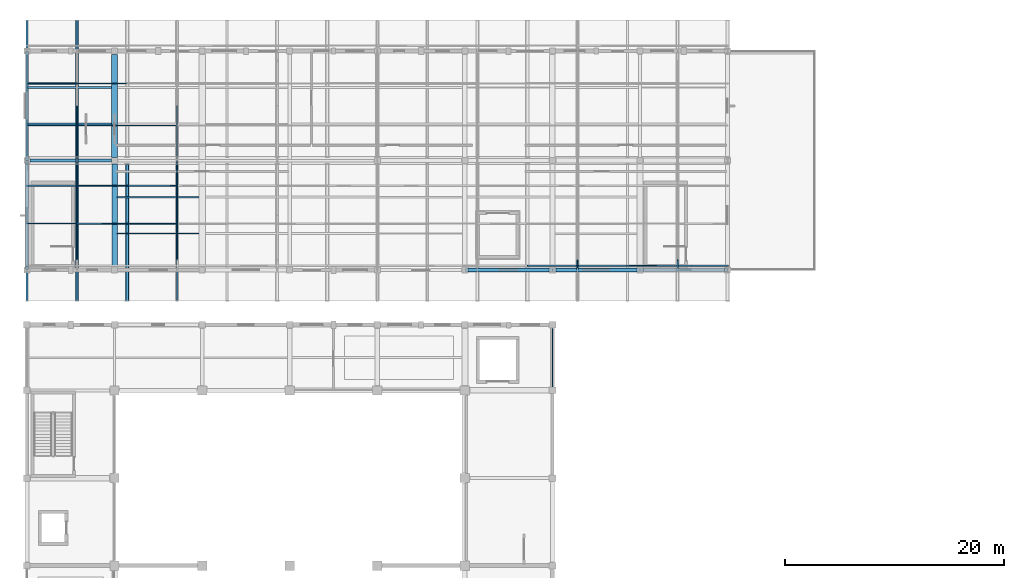
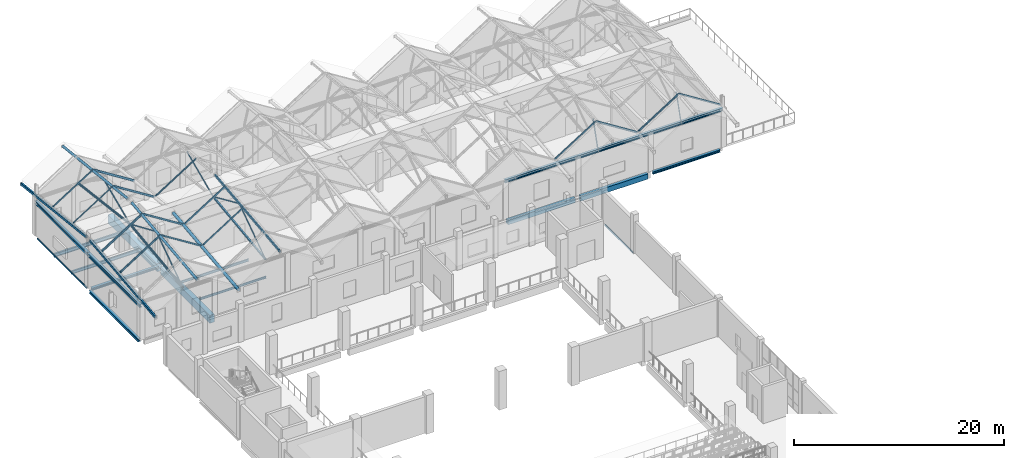
# One storey, part 63 of 183: 26 members, 24 beams.
"""IFC4 building model written with IfcOpenShell, lengths in metres."""

import ifcopenshell
import ifcopenshell.guid

model = None  # the IFC model being written
_history = None  # IfcOwnerHistory: only IFC2X3 demands one
_inside = {}  # id of a spatial element -> (the spatial element, [elements in it])
_under = {}  # id of a project, library or spatial element -> (it, [spatial elements below it])
_declared = {}  # id of a project -> (the project, [libraries it declares])
_typed = {}  # id of a type object -> (the type object, [elements of that type])
_made_of = {}  # id of a material, layer set ... -> (it, [elements and type objects made of it])


def new_model(schema):
    """Start an empty IFC model of exactly this schema.

    Asked for "IFC4X3", IfcOpenShell would pick the latest addendum, in which some entities
    have other attributes; the version numbers below select the first issue.
    IFC2X3 requires an IfcOwnerHistory on every rooted entity: one is made here for all.
    """
    global model, _history
    if schema == "IFC4X3":
        model = ifcopenshell.file(schema_version=(4, 3, 0, 0))
    else:
        model = ifcopenshell.file(schema=schema)
    _inside.clear()
    _under.clear()
    _declared.clear()
    _typed.clear()
    _made_of.clear()
    _history = None
    if model.schema == "IFC2X3":
        org = make("IfcOrganization", Name="unknown")
        user = make(
            "IfcPersonAndOrganization",
            ThePerson=make("IfcPerson", FamilyName="unknown"),
            TheOrganization=org,
        )
        app = make(
            "IfcApplication",
            ApplicationDeveloper=org,
            Version="unknown",
            ApplicationFullName="unknown",
            ApplicationIdentifier="unknown",
        )
        _history = make(
            "IfcOwnerHistory",
            OwningUser=user,
            OwningApplication=app,
            ChangeAction="ADDED",
            CreationDate=0,
        )
    return model


def make(cls, **values):
    """One entity of the class cls with the attributes given. An attribute that is None is left unset."""
    return model.create_entity(
        cls, **{name: value for name, value in values.items() if value is not None}
    )


def rooted(cls, **values):
    """An entity with a GlobalId (a new one), such as an element, a storey or a relation."""
    return make(cls, GlobalId=ifcopenshell.guid.new(), OwnerHistory=_history, **values)


def si_unit(unit_type, name, prefix=None):
    """IfcSIUnit, for example si_unit("LENGTHUNIT", "METRE", prefix="MILLI")."""
    return make("IfcSIUnit", UnitType=unit_type, Prefix=prefix, Name=name)


def assignment(units):
    """IfcUnitAssignment: the units of a project."""
    return None if units is None else make("IfcUnitAssignment", Units=units)


def point(xyz):
    """IfcCartesianPoint."""
    return None if xyz is None else make("IfcCartesianPoint", Coordinates=xyz)


def direction(xyz):
    """IfcDirection."""
    return None if xyz is None else make("IfcDirection", DirectionRatios=xyz)


def frame(location, z_axis=None, x_axis=None):
    """IfcAxis2Placement3D, a coordinate frame: its origin and axes. An axis left out is left unset."""
    return make(
        "IfcAxis2Placement3D",
        Location=point(location),
        Axis=direction(z_axis),
        RefDirection=direction(x_axis),
    )


def frame_2d(location, x_axis=None):
    """IfcAxis2Placement2D, a coordinate frame in the plane: its origin and x axis."""
    return make(
        "IfcAxis2Placement2D", Location=point(location), RefDirection=direction(x_axis)
    )


def origin():
    """The frame at (0, 0, 0) with its axes left unset."""
    return frame((0.0, 0.0, 0.0))


def origin_2d():
    """The frame at (0, 0) in the plane with its x axis left unset."""
    return frame_2d((0.0, 0.0))


def place(relative_to, where):
    """IfcLocalPlacement: puts the frame where relative to a parent placement (None: the world)."""
    return make(
        "IfcLocalPlacement", PlacementRelTo=relative_to, RelativePlacement=where
    )


def context(
    kind, dimensions, precision=None, world=None, true_north=None, identifier=None
):
    """IfcGeometricRepresentationContext, for example the 3D "Model" context."""
    return make(
        "IfcGeometricRepresentationContext",
        ContextIdentifier=identifier,
        ContextType=kind,
        CoordinateSpaceDimension=dimensions,
        Precision=precision,
        WorldCoordinateSystem=world,
        TrueNorth=true_north,
    )


def subcontext(parent, identifier, kind, view, scale=None):
    """IfcGeometricRepresentationSubContext, for example "Body" below "Model"."""
    return make(
        "IfcGeometricRepresentationSubContext",
        ContextIdentifier=identifier,
        ContextType=kind,
        ParentContext=parent,
        TargetScale=scale,
        TargetView=view,
    )


def project(units=None, contexts=None):
    """IfcProject with its units and contexts."""
    return rooted(
        "IfcProject",
        Name="project",
        RepresentationContexts=contexts,
        UnitsInContext=assignment(units),
    )


def spatial(cls, under=None, at=None, **own):
    """A site, building, storey or space (cls), placed at a placement, below another one or the project."""
    s = rooted(cls, ObjectPlacement=at, **own)
    if under is not None:
        _under.setdefault(under.id(), (under, []))[1].append(s)
    return s


def profile(cls, at=None, kind="AREA", **sizes):
    """A parametric profile (cls). Its sizes go by their IFC names, for example OverallWidth=200.0."""
    return make(cls, ProfileType=kind, Position=at, **sizes)


def rectangle(**sizes):
    """IfcRectangleProfileDef."""
    return profile("IfcRectangleProfileDef", **sizes)


def hollow_rectangle(**sizes):
    """IfcRectangleHollowProfileDef."""
    return profile("IfcRectangleHollowProfileDef", **sizes)


def hollow_circle(**sizes):
    """IfcCircleHollowProfileDef."""
    return profile("IfcCircleHollowProfileDef", **sizes)


def i_section(**sizes):
    """IfcIShapeProfileDef."""
    return profile("IfcIShapeProfileDef", **sizes)


def extrude(swept, where, along, depth):
    """IfcExtrudedAreaSolid: the profile swept, set in the frame where, extruded along a direction by depth."""
    return make(
        "IfcExtrudedAreaSolid",
        SweptArea=swept,
        Position=where,
        ExtrudedDirection=direction(along),
        Depth=depth,
    )


def shape(context_of_items, identifier, shape_type, items):
    """IfcShapeRepresentation: the items that make up one representation, for example the "Body"."""
    return make(
        "IfcShapeRepresentation",
        ContextOfItems=context_of_items,
        RepresentationIdentifier=identifier,
        RepresentationType=shape_type,
        Items=items,
    )


def material(Name=None, Category=None):
    """IfcMaterial."""
    return make("IfcMaterial", Name=Name, Category=Category)


def material_profile(
    of_material, cross_section, Name=None, Category=None, Priority=None
):
    """IfcMaterialProfile: a cross section and its material."""
    return make(
        "IfcMaterialProfile",
        Name=Name,
        Material=of_material,
        Profile=cross_section,
        Priority=Priority,
        Category=Category,
    )


def profile_set(profiles, Name=None, composite=None):
    """IfcMaterialProfileSet."""
    return make(
        "IfcMaterialProfileSet",
        Name=Name,
        MaterialProfiles=profiles,
        CompositeProfile=composite,
    )


def made_of(thing, what):
    """Note that an element or type object is made of a material, layer set ...; save() writes the relation."""
    if what is not None:
        _made_of.setdefault(what.id(), (what, []))[1].append(thing)
    return thing


def type_object(cls, material=None, **own):
    """A type object (cls), such as IfcWallType, which elements share."""
    return made_of(rooted(cls, **own), material)


def element(
    cls,
    number,
    at=None,
    inside=None,
    cuts=None,
    type_object=None,
    material=None,
    context=None,
    identifier="Body",
    shape_type=None,
    held_by="IfcProductDefinitionShape",
    body=None,
    shapes=None,
    **own,
):
    """One element of the class cls, such as IfcWall. Its Tag is "e" and its number.

    at: its placement. inside: the storey or other place that contains it. cuts: it is an
    opening in that element (IfcRelVoidsElement). A single representation is given by context,
    identifier, shape_type and body (its items); several are given by shapes. held_by: the class
    of the entity that holds the representations. save() writes the other relations.
    """
    e = rooted(cls, Tag="e%d" % number, ObjectPlacement=at, **own)
    if body is not None:
        shapes = [shape(context, identifier, shape_type, body)]
    if shapes is not None:
        e.Representation = make(held_by, Representations=shapes)
    if inside is not None:
        _inside.setdefault(inside.id(), (inside, []))[1].append(e)
    if cuts is not None:
        rooted(
            "IfcRelVoidsElement", RelatingBuildingElement=cuts, RelatedOpeningElement=e
        )
    if type_object is not None:
        _typed.setdefault(type_object.id(), (type_object, []))[1].append(e)
    return made_of(e, material)


def aggregate(whole, parts):
    """IfcRelAggregates: a whole, such as a stair, and the parts it consists of."""
    return rooted("IfcRelAggregates", RelatingObject=whole, RelatedObjects=parts)


def save(model, path):
    """Write the relations noted so far, then the file.

    IfcRelAggregates (storeys below a building ...), IfcRelContainedInSpatialStructure (elements
    in a storey), IfcRelDefinesByType, IfcRelAssociatesMaterial and IfcRelDeclares: one each for
    every whole, place, type object, material and project.
    """
    for whole, parts in _under.values():
        aggregate(whole, parts)
    for where, things in _inside.values():
        rooted(
            "IfcRelContainedInSpatialStructure",
            RelatedElements=things,
            RelatingStructure=where,
        )
    for kind, things in _typed.values():
        rooted("IfcRelDefinesByType", RelatedObjects=things, RelatingType=kind)
    for what, things in _made_of.values():
        rooted("IfcRelAssociatesMaterial", RelatedObjects=things, RelatingMaterial=what)
    for by, libraries in _declared.values():
        rooted("IfcRelDeclares", RelatingContext=by, RelatedDefinitions=libraries)
    model.write(path)


model = new_model("IFC4")

# Units and contexts
model_context = context("Model", 3, precision=1e-05, world=origin(), true_north=direction((0.0, 1.0)))
body_context = subcontext(model_context, "Body", "Model", "MODEL_VIEW")
ifc_project = project(units=[si_unit("LENGTHUNIT", "METRE"), si_unit("AREAUNIT", "SQUARE_METRE"), si_unit("VOLUMEUNIT", "CUBIC_METRE"), si_unit("PLANEANGLEUNIT", "RADIAN"), si_unit("MASSUNIT", "GRAM", prefix="KILO")], contexts=[model_context])

# Site, building, storey
site_placement = place(None, origin())
site = spatial("IfcSite", under=ifc_project, at=site_placement, CompositionType="ELEMENT")
building_placement = place(site_placement, origin())
building = spatial("IfcBuilding", under=site, at=building_placement, Name="Luwemba Playhouse", CompositionType="ELEMENT")
storey_placement = place(building_placement, frame((0.0, 0.0, 4.800048828125)))
storey = spatial("IfcBuildingStorey", under=building, at=storey_placement, Name="L01", CompositionType="ELEMENT", Elevation=4.800048828125)

# Beams
ifc_material_1 = material(Name="Concrete C40/50", Category="concrete")
ifc_material_profile_1 = material_profile(ifc_material_1, rectangle(XDim=0.5, YDim=0.89990234375, at=origin_2d()))
ifc_profile_set_1 = profile_set([ifc_material_profile_1], Name="Concrete C40/50")
beam_type_1 = type_object("IfcBeamType", Name="BM-RB07", PredefinedType="BEAM", material=ifc_profile_set_1)
beam_1_placement = place(storey_placement, frame((12.0, 95.300048828125, -0.699951171875), z_axis=(0.0, 1.0, 0.0), x_axis=(-1.0, 0.0, 0.0)))
element("IfcBeam", 1, at=beam_1_placement, inside=storey, type_object=beam_type_1, Name="L01 transverse girder 0588", PredefinedType="BEAM", context=body_context, shape_type="SweptSolid", body=[
    extrude(rectangle(XDim=0.5, YDim=0.89990234375, at=origin_2d()), origin(), (0.0, 0.0, 1.0), 9.39990234375),
])
ifc_material_profile_2 = material_profile(ifc_material_1, rectangle(XDim=0.550048828125, YDim=0.949951171875, at=origin_2d()))
ifc_profile_set_2 = profile_set([ifc_material_profile_2], Name="Concrete C40/50")
beam_type_2 = type_object("IfcBeamType", Name="BM-RB08", PredefinedType="BEAM", material=ifc_profile_set_2)
beam_2_placement = place(storey_placement, frame((12.0, 105.300048828125, -0.72509765625), z_axis=(0.0, 1.0, 0.0), x_axis=(-1.0, 0.0, 0.0)))
element("IfcBeam", 2, at=beam_2_placement, inside=storey, type_object=beam_type_2, Name="L01 transverse girder 0589", PredefinedType="BEAM", context=body_context, shape_type="SweptSolid", body=[
    extrude(rectangle(XDim=0.550048828125, YDim=0.949951171875, at=origin_2d()), origin(), (0.0, 0.0, 1.0), 9.39990234375),
])
ifc_material_2 = material(Name="Steel S355", Category="steel")
ifc_material_profile_3 = material_profile(ifc_material_2, hollow_rectangle(XDim=0.14990234375, YDim=0.25, WallThickness=0.010009765625, InnerFilletRadius=0.014892578125, OuterFilletRadius=0.02490234375, at=origin_2d()))
ifc_profile_set_3 = profile_set([ifc_material_profile_3], Name="Steel S355")
beam_type_3 = type_object("IfcBeamType", Name="BM-RTG1", PredefinedType="USERDEFINED", material=ifc_profile_set_3)
beam_3_placement = place(storey_placement, frame((17.71435546875, 92.199951171875, 6.983154296875), z_axis=(0.0, 0.993767931543, 0.111468821814), x_axis=(-1.0, 0.0, 0.0)))
element("IfcBeam", 3, at=beam_3_placement, inside=storey, type_object=beam_type_3, Name="ROOF TRUSS ridge girder 0371", ObjectType="ROOF TRUSS", PredefinedType="USERDEFINED", context=body_context, shape_type="SweptSolid", body=[
    extrude(hollow_rectangle(XDim=0.14990234375, YDim=0.25, WallThickness=0.010009765625, InnerFilletRadius=0.014892578125, OuterFilletRadius=0.02490234375, at=origin_2d()), origin(), (0.0, 0.0, 1.0), 12.528076171875),
])
ifc_material_profile_4 = material_profile(ifc_material_2, hollow_rectangle(XDim=0.199951171875, YDim=0.300048828125, WallThickness=0.012451171875, InnerFilletRadius=0.018798828125, OuterFilletRadius=0.03125, at=origin_2d()))
ifc_profile_set_4 = profile_set([ifc_material_profile_4], Name="Steel S355")
beam_type_4 = type_object("IfcBeamType", Name="BM-RTG2", PredefinedType="USERDEFINED", material=ifc_profile_set_4)
for number, where, z_axis, x_axis, name in (
    (4, (4.0, 92.199951171875, 4.162109375), (0.0, 0.993767931543, 0.111468821814), (-1.0, 0.0, 0.0), "ROOF TRUSS valley girder 0365"),
    (5, (4.0, 105.35009765625, 5.55859375), (0.0, 0.993767931543, -0.111468821814), (-1.0, 0.0, 0.0), "ROOF TRUSS valley girder 0366"),
):
    element("IfcBeam", number, at=place(storey_placement, frame(where, z_axis=z_axis, x_axis=x_axis)), inside=storey, type_object=beam_type_4, Name=name, ObjectType="ROOF TRUSS", PredefinedType="USERDEFINED", context=body_context, shape_type="SweptSolid", body=[
        extrude(hollow_rectangle(XDim=0.199951171875, YDim=0.300048828125, WallThickness=0.012451171875, InnerFilletRadius=0.018798828125, OuterFilletRadius=0.03125, at=origin_2d()), origin(), (0.0, 0.0, 1.0), 12.528076171875),
    ])
ifc_material_profile_5 = material_profile(ifc_material_2, hollow_circle(Radius=0.136474609375, WallThickness=0.012451171875, at=origin_2d()))
ifc_profile_set_5 = profile_set([ifc_material_profile_5], Name="Steel S355")
beam_type_5 = type_object("IfcBeamType", Name="BM-RTG3", PredefinedType="USERDEFINED", material=ifc_profile_set_5)
for number, where, z_axis, x_axis, name in (
    (6, (8.5712890625, 92.199951171875, 6.932861328125), (0.0, 0.993767931543, 0.111468821814), (-1.0, 0.0, 0.0), "ROOF TRUSS ridge girder 0367"),
    (7, (8.5712890625, 105.35009765625, 8.329345703125), (0.0, 0.993767931543, -0.111468821814), (-1.0, 0.0, 0.0), "ROOF TRUSS ridge girder 0368"),
):
    element("IfcBeam", number, at=place(storey_placement, frame(where, z_axis=z_axis, x_axis=x_axis)), inside=storey, type_object=beam_type_5, Name=name, ObjectType="ROOF TRUSS", PredefinedType="USERDEFINED", context=body_context, shape_type="SweptSolid", body=[
        extrude(hollow_circle(Radius=0.136474609375, WallThickness=0.012451171875, at=origin_2d()), origin(), (0.0, 0.0, 1.0), 12.528076171875),
    ])
ifc_material_profile_6 = material_profile(ifc_material_2, hollow_circle(Radius=0.161865234375, WallThickness=0.01611328125, at=origin_2d()))
ifc_profile_set_6 = profile_set([ifc_material_profile_6], Name="Steel S355")
beam_type_6 = type_object("IfcBeamType", Name="BM-RTG4", PredefinedType="USERDEFINED", material=ifc_profile_set_6)
beam_4_placement = place(storey_placement, frame((13.142822265625, 92.199951171875, 4.150390625), z_axis=(0.0, 0.993767931543, 0.111468821814), x_axis=(-1.0, 0.0, 0.0)))
element("IfcBeam", 8, at=beam_4_placement, inside=storey, type_object=beam_type_6, Name="ROOF TRUSS valley girder 0369", ObjectType="ROOF TRUSS", PredefinedType="USERDEFINED", context=body_context, shape_type="SweptSolid", body=[
    extrude(hollow_circle(Radius=0.161865234375, WallThickness=0.01611328125, at=origin_2d()), origin(), (0.0, 0.0, 1.0), 12.528076171875),
])
ifc_material_profile_7 = material_profile(ifc_material_2, i_section(OverallWidth=0.300048828125, OverallDepth=0.2900390625, WebThickness=0.008544921875, FlangeThickness=0.013916015625, FilletRadius=0.027099609375, at=origin_2d()))
ifc_profile_set_7 = profile_set([ifc_material_profile_7], Name="Steel S355")
beam_type_7 = type_object("IfcBeamType", Name="BM-SB03", PredefinedType="BEAM", material=ifc_profile_set_7)
beam_5_placement = place(storey_placement, frame((4.300048828125, 105.0, -0.39501953125), z_axis=(1.0, 0.0, 0.0), x_axis=(0.0, 1.0, 0.0)))
element("IfcBeam", 9, at=beam_5_placement, inside=storey, type_object=beam_type_7, Name="L01 grid girder 0572", PredefinedType="BEAM", context=body_context, shape_type="SweptSolid", body=[
    extrude(i_section(OverallWidth=0.300048828125, OverallDepth=0.2900390625, WebThickness=0.008544921875, FlangeThickness=0.013916015625, FilletRadius=0.027099609375, at=origin_2d()), origin(), (0.0, 0.0, 1.0), 7.39990234375),
])
ifc_material_profile_8 = material_profile(ifc_material_2, i_section(OverallWidth=0.300048828125, OverallDepth=0.360107421875, WebThickness=0.012451171875, FlangeThickness=0.0224609375, FilletRadius=0.027099609375, at=origin_2d()))
ifc_profile_set_8 = profile_set([ifc_material_profile_8], Name="Steel S355")
beam_type_8 = type_object("IfcBeamType", Name="BM-SB09", PredefinedType="BEAM", material=ifc_profile_set_8)
for number, where, z_axis, x_axis, name in (
    (10, (44.0, 95.0, 4.320068359375), (1.0, 0.0, 0.0), (0.0, 1.0, 0.0), "RF-V6W eave ring beam 0347"),
    (11, (52.0, 95.0, 4.320068359375), (1.0, 0.0, 0.0), (0.0, 1.0, 0.0), "RF-V6W eave ring beam 0348"),
    (12, (60.0, 95.0, 4.320068359375), (1.0, 0.0, 0.0), (0.0, 1.0, 0.0), "RF-V6W eave ring beam 0349"),
):
    element("IfcBeam", number, at=place(storey_placement, frame(where, z_axis=z_axis, x_axis=x_axis)), inside=storey, type_object=beam_type_8, Name=name, PredefinedType="BEAM", context=body_context, shape_type="SweptSolid", body=[
        extrude(i_section(OverallWidth=0.300048828125, OverallDepth=0.360107421875, WebThickness=0.012451171875, FlangeThickness=0.0224609375, FilletRadius=0.027099609375, at=origin_2d()), origin(), (0.0, 0.0, 1.0), 8.0),
    ])
for number, where, z_axis, x_axis, name in (
    (13, (4.0, 95.0, 3.780029296875), (0.0, 1.0, 0.0), (-1.0, 0.0, 0.0), "RF-V6W gable ring beam 0358"),
    (14, (4.0, 105.0, 3.780029296875), (0.0, 1.0, 0.0), (-1.0, 0.0, 0.0), "RF-V6W gable ring beam 0359"),
):
    element("IfcBeam", number, at=place(storey_placement, frame(where, z_axis=z_axis, x_axis=x_axis)), inside=storey, type_object=beam_type_8, Name=name, PredefinedType="BEAM", context=body_context, shape_type="SweptSolid", body=[
        extrude(i_section(OverallWidth=0.300048828125, OverallDepth=0.360107421875, WebThickness=0.012451171875, FlangeThickness=0.0224609375, FilletRadius=0.027099609375, at=origin_2d()), origin(), (0.0, 0.0, 1.0), 10.0),
    ])
ifc_material_profile_9 = material_profile(ifc_material_2, i_section(OverallWidth=0.1201171875, OverallDepth=0.239990234375, WebThickness=0.006103515625, FlangeThickness=0.009765625, FilletRadius=0.014892578125, at=origin_2d()))
ifc_profile_set_9 = profile_set([ifc_material_profile_9], Name="Steel S355")
beam_type_9 = type_object("IfcBeamType", Name="BM-SJ03", PredefinedType="JOIST", material=ifc_profile_set_9)
beam_6_placement = place(storey_placement, frame((12.24609375, 98.333251953125, -0.3701171875), z_axis=(1.0, 0.0, 0.0), x_axis=(0.0, 1.0, 0.0)))
element("IfcBeam", 15, at=beam_6_placement, inside=storey, type_object=beam_type_9, Name="L01 composite floor joist 0340", PredefinedType="JOIST", context=body_context, shape_type="SweptSolid", body=[
    extrude(i_section(OverallWidth=0.1201171875, OverallDepth=0.239990234375, WebThickness=0.006103515625, FlangeThickness=0.009765625, FilletRadius=0.014892578125, at=origin_2d()), origin(), (0.0, 0.0, 1.0), 7.4580078125),
])
ifc_material_profile_10 = material_profile(ifc_material_2, i_section(OverallWidth=0.135009765625, OverallDepth=0.27001953125, WebThickness=0.006591796875, FlangeThickness=0.01025390625, FilletRadius=0.014892578125, at=origin_2d()))
ifc_profile_set_10 = profile_set([ifc_material_profile_10], Name="Steel S355")
beam_type_10 = type_object("IfcBeamType", Name="BM-SJ04", PredefinedType="JOIST", material=ifc_profile_set_10)
beam_7_placement = place(storey_placement, frame((12.24609375, 101.666748046875, -0.385009765625), z_axis=(1.0, 0.0, 0.0), x_axis=(0.0, 1.0, 0.0)))
element("IfcBeam", 16, at=beam_7_placement, inside=storey, type_object=beam_type_10, Name="L01 composite floor joist 0341", PredefinedType="JOIST", context=body_context, shape_type="SweptSolid", body=[
    extrude(i_section(OverallWidth=0.135009765625, OverallDepth=0.27001953125, WebThickness=0.006591796875, FlangeThickness=0.01025390625, FilletRadius=0.014892578125, at=origin_2d()), origin(), (0.0, 0.0, 1.0), 7.4580078125),
])
ifc_material_profile_11 = material_profile(ifc_material_2, i_section(OverallWidth=0.169921875, OverallDepth=0.360107421875, WebThickness=0.008056640625, FlangeThickness=0.0126953125, FilletRadius=0.01806640625, at=origin_2d()))
ifc_profile_set_11 = profile_set([ifc_material_profile_11], Name="Steel S355")
beam_type_11 = type_object("IfcBeamType", Name="BM-SJ07", PredefinedType="JOIST", material=ifc_profile_set_11)
beam_8_placement = place(storey_placement, frame((4.0458984375, 108.333251953125, -0.429931640625), z_axis=(1.0, 0.0, 0.0), x_axis=(0.0, 1.0, 0.0)))
element("IfcBeam", 17, at=beam_8_placement, inside=storey, type_object=beam_type_11, Name="L01 composite floor joist 0338", PredefinedType="JOIST", context=body_context, shape_type="SweptSolid", body=[
    extrude(i_section(OverallWidth=0.169921875, OverallDepth=0.360107421875, WebThickness=0.008056640625, FlangeThickness=0.0126953125, FilletRadius=0.01806640625, at=origin_2d()), origin(), (0.0, 0.0, 1.0), 7.68310546875),
])
ifc_material_profile_12 = material_profile(ifc_material_2, i_section(OverallWidth=0.179931640625, OverallDepth=0.39990234375, WebThickness=0.008544921875, FlangeThickness=0.013427734375, FilletRadius=0.02099609375, at=origin_2d()))
ifc_profile_set_12 = profile_set([ifc_material_profile_12], Name="Steel S355")
beam_type_12 = type_object("IfcBeamType", Name="BM-SJ08", PredefinedType="JOIST", material=ifc_profile_set_12)
beam_9_placement = place(storey_placement, frame((4.0458984375, 111.666748046875, -0.449951171875), z_axis=(1.0, 0.0, 0.0), x_axis=(0.0, 1.0, 0.0)))
element("IfcBeam", 18, at=beam_9_placement, inside=storey, type_object=beam_type_12, Name="L01 composite floor joist 0339", PredefinedType="JOIST", context=body_context, shape_type="SweptSolid", body=[
    extrude(i_section(OverallWidth=0.179931640625, OverallDepth=0.39990234375, WebThickness=0.008544921875, FlangeThickness=0.013427734375, FilletRadius=0.02099609375, at=origin_2d()), origin(), (0.0, 0.0, 1.0), 7.68310546875),
])
ifc_material_profile_13 = material_profile(ifc_material_1, rectangle(XDim=0.35009765625, YDim=0.550048828125, at=origin_2d()))
ifc_profile_set_13 = profile_set([ifc_material_profile_13], Name="Concrete C40/50")
beam_type_13 = type_object("IfcBeamType", Name="BM-SP2", PredefinedType="SPANDREL", material=ifc_profile_set_13)
beam_10_placement = place(storey_placement, frame((44.300048828125, 95.0, -0.525146484375), z_axis=(1.0, 0.0, 0.0), x_axis=(0.0, 1.0, 0.0)))
element("IfcBeam", 19, at=beam_10_placement, inside=storey, type_object=beam_type_13, Name="L01 grid girder 0569", PredefinedType="SPANDREL", context=body_context, shape_type="SweptSolid", body=[
    extrude(rectangle(XDim=0.35009765625, YDim=0.550048828125, at=origin_2d()), origin(), (0.0, 0.0, 1.0), 7.39990234375),
])
ifc_material_profile_14 = material_profile(ifc_material_1, rectangle(XDim=0.35009765625, YDim=0.60009765625, at=origin_2d()))
ifc_profile_set_14 = profile_set([ifc_material_profile_14], Name="Concrete C40/50")
beam_type_14 = type_object("IfcBeamType", Name="BM-SP3", PredefinedType="SPANDREL", material=ifc_profile_set_14)
beam_11_placement = place(storey_placement, frame((52.300048828125, 95.0, -0.550048828125), z_axis=(1.0, 0.0, 0.0), x_axis=(0.0, 1.0, 0.0)))
element("IfcBeam", 20, at=beam_11_placement, inside=storey, type_object=beam_type_14, Name="L01 grid girder 0570", PredefinedType="SPANDREL", context=body_context, shape_type="SweptSolid", body=[
    extrude(rectangle(XDim=0.35009765625, YDim=0.60009765625, at=origin_2d()), origin(), (0.0, 0.0, 1.0), 7.39990234375),
])
ifc_material_profile_15 = material_profile(ifc_material_2, i_section(OverallWidth=0.300048828125, OverallDepth=0.300048828125, WebThickness=0.010986328125, FlangeThickness=0.01904296875, FilletRadius=0.027099609375, at=origin_2d()))
ifc_profile_set_15 = profile_set([ifc_material_profile_15], Name="Steel S355")
beam_type_15 = type_object("IfcBeamType", Name="BM-SSP1", PredefinedType="SPANDREL", material=ifc_profile_set_15)
beam_12_placement = place(storey_placement, frame((60.300048828125, 95.0, -0.400146484375), z_axis=(1.0, 0.0, 0.0), x_axis=(0.0, 1.0, 0.0)))
element("IfcBeam", 21, at=beam_12_placement, inside=storey, type_object=beam_type_15, Name="L01 grid girder 0571", PredefinedType="SPANDREL", context=body_context, shape_type="SweptSolid", body=[
    extrude(i_section(OverallWidth=0.300048828125, OverallDepth=0.300048828125, WebThickness=0.010986328125, FlangeThickness=0.01904296875, FilletRadius=0.027099609375, at=origin_2d()), origin(), (0.0, 0.0, 1.0), 7.39990234375),
])
beam_13_placement = place(storey_placement, frame((4.0, 95.300048828125, -0.400146484375), z_axis=(0.0, 1.0, 0.0), x_axis=(-1.0, 0.0, 0.0)))
element("IfcBeam", 22, at=beam_13_placement, inside=storey, type_object=beam_type_15, Name="L01 transverse girder 0586", PredefinedType="SPANDREL", context=body_context, shape_type="SweptSolid", body=[
    extrude(i_section(OverallWidth=0.300048828125, OverallDepth=0.300048828125, WebThickness=0.010986328125, FlangeThickness=0.01904296875, FilletRadius=0.027099609375, at=origin_2d()), origin(), (0.0, 0.0, 1.0), 9.39990234375),
])
ifc_material_profile_16 = material_profile(ifc_material_2, hollow_rectangle(XDim=0.10009765625, YDim=0.199951171875, WallThickness=0.008056640625, InnerFilletRadius=0.011962890625, OuterFilletRadius=0.02001953125, at=origin_2d()))
ifc_profile_set_16 = profile_set([ifc_material_profile_16], Name="Steel S355")
beam_type_16 = type_object("IfcBeamType", Name="BM-SSP2", PredefinedType="SPANDREL", material=ifc_profile_set_16)
beam_14_placement = place(storey_placement, frame((52.0, 84.324951171875, -0.35009765625), z_axis=(0.0, 1.0, 0.0), x_axis=(-1.0, 0.0, 0.0)))
element("IfcBeam", 23, at=beam_14_placement, inside=storey, type_object=beam_type_16, Name="L01 transverse girder 0403", PredefinedType="SPANDREL", context=body_context, shape_type="SweptSolid", body=[
    extrude(hollow_rectangle(XDim=0.10009765625, YDim=0.199951171875, WallThickness=0.008056640625, InnerFilletRadius=0.011962890625, OuterFilletRadius=0.02001953125, at=origin_2d()), origin(), (0.0, 0.0, 1.0), 5.35009765625),
])
beam_15_placement = place(storey_placement, frame((4.0, 105.300048828125, -0.35009765625), z_axis=(0.0, 1.0, 0.0), x_axis=(-1.0, 0.0, 0.0)))
element("IfcBeam", 24, at=beam_15_placement, inside=storey, type_object=beam_type_16, Name="L01 transverse girder 0587", PredefinedType="SPANDREL", context=body_context, shape_type="SweptSolid", body=[
    extrude(hollow_rectangle(XDim=0.10009765625, YDim=0.199951171875, WallThickness=0.008056640625, InnerFilletRadius=0.011962890625, OuterFilletRadius=0.02001953125, at=origin_2d()), origin(), (0.0, 0.0, 1.0), 9.39990234375),
])

# Members
ifc_material_profile_17 = material_profile(ifc_material_2, hollow_circle(Radius=0.06982421875, WallThickness=0.008056640625, at=origin_2d()))
ifc_profile_set_17 = profile_set([ifc_material_profile_17], Name="Steel S355")
member_type_1 = type_object("IfcMemberType", Name="MEM-MB01", PredefinedType="BRACE", material=ifc_profile_set_17)
member_1_placement = place(storey_placement, frame((8.5712890625, 95.0, 4.39990234375), z_axis=(0.0, 0.826314401339, 0.563209117593), x_axis=(-1.0, 0.0, 0.0)))
element("IfcMember", 25, at=member_1_placement, inside=storey, type_object=member_type_1, Name="ROOF TRUSS web diagonal 0309", PredefinedType="BRACE", context=body_context, shape_type="SweptSolid", body=[
    extrude(hollow_circle(Radius=0.06982421875, WallThickness=0.008056640625, at=origin_2d()), origin(), (0.0, 0.0, 1.0), 6.051025390625),
])
for number, where, z_axis, x_axis, name in (
    (26, (8.5712890625, 105.0, 5.6416015625), (0.0, -0.917582865909, 0.397544568809), (1.0, 0.0, 0.0), "ROOF TRUSS web diagonal 0310"),
    (27, (8.5712890625, 105.0, 5.6416015625), (0.0, 0.917582865909, 0.397544568809), (-1.0, 0.0, 0.0), "ROOF TRUSS web diagonal 0311"),
):
    element("IfcMember", number, at=place(storey_placement, frame(where, z_axis=z_axis, x_axis=x_axis)), inside=storey, type_object=member_type_1, Name=name, PredefinedType="BRACE", context=body_context, shape_type="SweptSolid", body=[
        extrude(hollow_circle(Radius=0.06982421875, WallThickness=0.008056640625, at=origin_2d()), origin(), (0.0, 0.0, 1.0), 5.44921875),
    ])
member_2_placement = place(storey_placement, frame((54.28564453125, 95.0, 4.39990234375), z_axis=(0.0, 0.287469518343, 0.95778978697), x_axis=(-1.0, 0.0, 0.0)))
element("IfcMember", 28, at=member_2_placement, inside=storey, type_object=member_type_1, Name="ROOF TRUSS eave knee strut 0096", PredefinedType="BRACE", context=body_context, shape_type="SweptSolid", body=[
    extrude(hollow_circle(Radius=0.06982421875, WallThickness=0.008056640625, at=origin_2d()), origin(), (0.0, 0.0, 1.0), 3.13037109375),
])
ifc_material_profile_18 = material_profile(ifc_material_2, hollow_rectangle(XDim=0.10009765625, YDim=0.10009765625, WallThickness=0.00634765625, InnerFilletRadius=0.009521484375, OuterFilletRadius=0.015869140625, at=origin_2d()))
ifc_profile_set_18 = profile_set([ifc_material_profile_18], Name="Steel S355")
member_type_2 = type_object("IfcMemberType", Name="MEM-MB05", PredefinedType="BRACE", material=ifc_profile_set_18)
member_3_placement = place(storey_placement, frame((17.71435546875, 95.0, 4.39990234375), z_axis=(0.0, 0.822463896527, 0.568817315938), x_axis=(-1.0, 0.0, 0.0)))
element("IfcMember", 29, at=member_3_placement, inside=storey, type_object=member_type_2, Name="ROOF TRUSS web diagonal 0315", PredefinedType="BRACE", context=body_context, shape_type="SweptSolid", body=[
    extrude(hollow_rectangle(XDim=0.10009765625, YDim=0.10009765625, WallThickness=0.00634765625, InnerFilletRadius=0.009521484375, OuterFilletRadius=0.015869140625, at=origin_2d()), origin(), (0.0, 0.0, 1.0), 6.079345703125),
])
for number, where, z_axis, x_axis, name in (
    (30, (17.71435546875, 105.0, 5.6416015625), (0.0, -0.914212395847, 0.405235357885), (1.0, 0.0, 0.0), "ROOF TRUSS web diagonal 0316"),
    (31, (17.71435546875, 105.0, 5.6416015625), (0.0, 0.914212395847, 0.405235357885), (-1.0, 0.0, 0.0), "ROOF TRUSS web diagonal 0317"),
):
    element("IfcMember", number, at=place(storey_placement, frame(where, z_axis=z_axis, x_axis=x_axis)), inside=storey, type_object=member_type_2, Name=name, PredefinedType="BRACE", context=body_context, shape_type="SweptSolid", body=[
        extrude(hollow_rectangle(XDim=0.10009765625, YDim=0.10009765625, WallThickness=0.00634765625, InnerFilletRadius=0.009521484375, OuterFilletRadius=0.015869140625, at=origin_2d()), origin(), (0.0, 0.0, 1.0), 5.46923828125),
    ])
member_4_placement = place(storey_placement, frame((63.4287109375, 95.0, 4.39990234375), z_axis=(0.0, 0.291958934331, 0.95643085514), x_axis=(-1.0, 0.0, 0.0)))
element("IfcMember", 32, at=member_4_placement, inside=storey, type_object=member_type_2, Name="ROOF TRUSS eave knee strut 0098", PredefinedType="BRACE", context=body_context, shape_type="SweptSolid", body=[
    extrude(hollow_rectangle(XDim=0.10009765625, YDim=0.10009765625, WallThickness=0.00634765625, InnerFilletRadius=0.009521484375, OuterFilletRadius=0.015869140625, at=origin_2d()), origin(), (0.0, 0.0, 1.0), 3.082275390625),
])
ifc_material_profile_19 = material_profile(ifc_material_2, hollow_circle(Radius=0.122314453125, WallThickness=0.012451171875, at=origin_2d()))
ifc_profile_set_19 = profile_set([ifc_material_profile_19], Name="Steel S355")
member_type_3 = type_object("IfcMemberType", Name="MEM-MC01", PredefinedType="CHORD", material=ifc_profile_set_19)
for number, where, z_axis, x_axis, name in (
    (33, (8.5712890625, 95.0, 4.39990234375), (0.0, 0.992378930096, 0.12322361422), (-1.0, 0.0, 0.0), "ROOF TRUSS south bottom chord 0307"),
    (34, (8.5712890625, 105.0, 5.6416015625), (0.0, 0.992378930096, -0.12322361422), (-1.0, 0.0, 0.0), "ROOF TRUSS north bottom chord 0308"),
):
    element("IfcMember", number, at=place(storey_placement, frame(where, z_axis=z_axis, x_axis=x_axis)), inside=storey, type_object=member_type_3, Name=name, PredefinedType="CHORD", context=body_context, shape_type="SweptSolid", body=[
        extrude(hollow_circle(Radius=0.122314453125, WallThickness=0.012451171875, at=origin_2d()), origin(), (0.0, 0.0, 1.0), 10.076904296875),
    ])
ifc_material_profile_20 = material_profile(ifc_material_2, hollow_rectangle(XDim=0.179931640625, YDim=0.179931640625, WallThickness=0.010009765625, InnerFilletRadius=0.014892578125, OuterFilletRadius=0.02490234375, at=origin_2d()))
ifc_profile_set_20 = profile_set([ifc_material_profile_20], Name="Steel S355")
member_type_4 = type_object("IfcMemberType", Name="MEM-MC03", PredefinedType="CHORD", material=ifc_profile_set_20)
member_5_placement = place(storey_placement, frame((17.71435546875, 95.0, 4.39990234375), z_axis=(0.0, 0.992378930096, 0.12322361422), x_axis=(-1.0, 0.0, 0.0)))
element("IfcMember", 35, at=member_5_placement, inside=storey, type_object=member_type_4, Name="ROOF TRUSS south bottom chord 0313", PredefinedType="CHORD", context=body_context, shape_type="SweptSolid", body=[
    extrude(hollow_rectangle(XDim=0.179931640625, YDim=0.179931640625, WallThickness=0.010009765625, InnerFilletRadius=0.014892578125, OuterFilletRadius=0.02490234375, at=origin_2d()), origin(), (0.0, 0.0, 1.0), 10.076904296875),
])
ifc_material_profile_21 = material_profile(ifc_material_2, hollow_rectangle(XDim=0.080078125, YDim=0.1201171875, WallThickness=0.00634765625, InnerFilletRadius=0.009521484375, OuterFilletRadius=0.015869140625, at=origin_2d()))
ifc_profile_set_21 = profile_set([ifc_material_profile_21], Name="Steel S355")
member_type_5 = type_object("IfcMemberType", Name="MEM-MP01", PredefinedType="PURLIN", material=ifc_profile_set_21)
member_6_placement = place(storey_placement, frame((4.0, 108.199951171875, 5.28271484375), z_axis=(0.846236613742, 0.0, 0.532807276191), x_axis=(0.0, 1.0, 0.0)))
element("IfcMember", 36, at=member_6_placement, inside=storey, type_object=member_type_5, Name="Pleated roof purlin 0616", PredefinedType="PURLIN", context=body_context, shape_type="SweptSolid", body=[
    extrude(hollow_rectangle(XDim=0.080078125, YDim=0.1201171875, WallThickness=0.00634765625, InnerFilletRadius=0.009521484375, OuterFilletRadius=0.015869140625, at=origin_2d()), origin(), (0.0, 0.0, 1.0), 5.40185546875),
])
ifc_material_profile_22 = material_profile(ifc_material_2, hollow_rectangle(XDim=0.10009765625, YDim=0.14990234375, WallThickness=0.008056640625, InnerFilletRadius=0.011962890625, OuterFilletRadius=0.02001953125, at=origin_2d()))
ifc_profile_set_22 = profile_set([ifc_material_profile_22], Name="Steel S355")
member_type_6 = type_object("IfcMemberType", Name="MEM-MP02", PredefinedType="PURLIN", material=ifc_profile_set_22)
for number, where, z_axis, x_axis, name in (
    (37, (4.0, 112.0400390625, 4.85205078125), (0.846236613742, 0.0, 0.532807276191), (0.0, 1.0, 0.0), "Pleated roof purlin 0617"),
    (38, (49.71435546875, 95.39990234375, 4.56494140625), (0.846236613742, 0.0, 0.532807276191), (0.0, 1.0, 0.0), "Pleated roof purlin 0673"),
):
    element("IfcMember", number, at=place(storey_placement, frame(where, z_axis=z_axis, x_axis=x_axis)), inside=storey, type_object=member_type_6, Name=name, PredefinedType="PURLIN", context=body_context, shape_type="SweptSolid", body=[
        extrude(hollow_rectangle(XDim=0.10009765625, YDim=0.14990234375, WallThickness=0.008056640625, InnerFilletRadius=0.011962890625, OuterFilletRadius=0.02001953125, at=origin_2d()), origin(), (0.0, 0.0, 1.0), 5.40185546875),
    ])
ifc_material_profile_23 = material_profile(ifc_material_2, hollow_rectangle(XDim=0.080078125, YDim=0.159912109375, WallThickness=0.00634765625, InnerFilletRadius=0.009521484375, OuterFilletRadius=0.015869140625, at=origin_2d()))
ifc_profile_set_23 = profile_set([ifc_material_profile_23], Name="Steel S355")
member_type_7 = type_object("IfcMemberType", Name="MEM-MP03", PredefinedType="PURLIN", material=ifc_profile_set_23)
member_7_placement = place(storey_placement, frame((13.142822265625, 99.239990234375, 4.99560546875), z_axis=(0.846249443207, 0.0, 0.532786899117), x_axis=(0.0, 1.0, 0.0)))
element("IfcMember", 39, at=member_7_placement, inside=storey, type_object=member_type_7, Name="Pleated roof purlin 0626", PredefinedType="PURLIN", context=body_context, shape_type="SweptSolid", body=[
    extrude(hollow_rectangle(XDim=0.080078125, YDim=0.159912109375, WallThickness=0.00634765625, InnerFilletRadius=0.009521484375, OuterFilletRadius=0.015869140625, at=origin_2d()), origin(), (0.0, 0.0, 1.0), 5.402099609375),
])
ifc_material_profile_24 = material_profile(ifc_material_2, hollow_rectangle(XDim=0.10009765625, YDim=0.179931640625, WallThickness=0.008056640625, InnerFilletRadius=0.011962890625, OuterFilletRadius=0.02001953125, at=origin_2d()))
ifc_profile_set_24 = profile_set([ifc_material_profile_24], Name="Steel S355")
member_type_8 = type_object("IfcMemberType", Name="MEM-MP04", PredefinedType="PURLIN", material=ifc_profile_set_24)
member_8_placement = place(storey_placement, frame((13.142822265625, 102.696044921875, 5.373046875), z_axis=(0.84622906663, 0.0, 0.532819262781), x_axis=(0.0, 1.0, 0.0)))
element("IfcMember", 40, at=member_8_placement, inside=storey, type_object=member_type_8, Name="Pleated roof purlin 0627", PredefinedType="PURLIN", context=body_context, shape_type="SweptSolid", body=[
    extrude(hollow_rectangle(XDim=0.10009765625, YDim=0.179931640625, WallThickness=0.008056640625, InnerFilletRadius=0.011962890625, OuterFilletRadius=0.02001953125, at=origin_2d()), origin(), (0.0, 0.0, 1.0), 5.40234375),
])
member_9_placement = place(storey_placement, frame((63.4287109375, 95.39990234375, 7.432861328125), z_axis=(0.846236613742, 0.0, -0.532807276191), x_axis=(0.0, 1.0, 0.0)))
element("IfcMember", 41, at=member_9_placement, inside=storey, type_object=member_type_8, Name="Pleated roof purlin 0691", PredefinedType="PURLIN", context=body_context, shape_type="SweptSolid", body=[
    extrude(hollow_rectangle(XDim=0.10009765625, YDim=0.179931640625, WallThickness=0.008056640625, InnerFilletRadius=0.011962890625, OuterFilletRadius=0.02001953125, at=origin_2d()), origin(), (0.0, 0.0, 1.0), 5.40185546875),
])
ifc_material_profile_25 = material_profile(ifc_material_2, i_section(OverallWidth=0.08203125, OverallDepth=0.159912109375, WebThickness=0.0048828125, FlangeThickness=0.00732421875, FilletRadius=0.009033203125, at=origin_2d()))
ifc_profile_set_25 = profile_set([ifc_material_profile_25], Name="Steel S355")
member_type_9 = type_object("IfcMemberType", Name="MEM-MP05", PredefinedType="PURLIN", material=ifc_profile_set_25)
member_10_placement = place(storey_placement, frame((8.5712890625, 99.239990234375, 7.873779296875), z_axis=(0.846249443207, 0.0, -0.532786899117), x_axis=(0.0, 1.0, 0.0)))
element("IfcMember", 42, at=member_10_placement, inside=storey, type_object=member_type_9, Name="Pleated roof purlin 0620", PredefinedType="PURLIN", context=body_context, shape_type="SweptSolid", body=[
    extrude(i_section(OverallWidth=0.08203125, OverallDepth=0.159912109375, WebThickness=0.0048828125, FlangeThickness=0.00732421875, FilletRadius=0.009033203125, at=origin_2d()), origin(), (0.0, 0.0, 1.0), 5.402099609375),
])
member_11_placement = place(storey_placement, frame((13.142822265625, 108.199951171875, 5.28271484375), z_axis=(0.84622906663, 0.0, 0.532819262781), x_axis=(0.0, 1.0, 0.0)))
element("IfcMember", 43, at=member_11_placement, inside=storey, type_object=member_type_9, Name="Pleated roof purlin 0628", PredefinedType="PURLIN", context=body_context, shape_type="SweptSolid", body=[
    extrude(i_section(OverallWidth=0.08203125, OverallDepth=0.159912109375, WebThickness=0.0048828125, FlangeThickness=0.00732421875, FilletRadius=0.009033203125, at=origin_2d()), origin(), (0.0, 0.0, 1.0), 5.40234375),
])
ifc_material_profile_26 = material_profile(ifc_material_2, i_section(OverallWidth=0.091064453125, OverallDepth=0.179931640625, WebThickness=0.00537109375, FlangeThickness=0.008056640625, FilletRadius=0.009033203125, at=origin_2d()))
ifc_profile_set_26 = profile_set([ifc_material_profile_26], Name="Steel S355")
member_type_10 = type_object("IfcMemberType", Name="MEM-MP06", PredefinedType="PURLIN", material=ifc_profile_set_26)
for number, where, z_axis, x_axis, name in (
    (44, (8.5712890625, 102.696044921875, 8.254150390625), (0.84622906663, 0.0, -0.532819262781), (0.0, 1.0, 0.0), "Pleated roof purlin 0621"),
    (45, (58.857177734375, 95.39990234375, 4.557373046875), (0.84622906663, 0.0, 0.532819262781), (0.0, 1.0, 0.0), "Pleated roof purlin 0685"),
):
    element("IfcMember", number, at=place(storey_placement, frame(where, z_axis=z_axis, x_axis=x_axis)), inside=storey, type_object=member_type_10, Name=name, PredefinedType="PURLIN", context=body_context, shape_type="SweptSolid", body=[
        extrude(i_section(OverallWidth=0.091064453125, OverallDepth=0.179931640625, WebThickness=0.00537109375, FlangeThickness=0.008056640625, FilletRadius=0.009033203125, at=origin_2d()), origin(), (0.0, 0.0, 1.0), 5.40234375),
    ])
ifc_material_profile_27 = material_profile(ifc_material_2, i_section(OverallWidth=0.10009765625, OverallDepth=0.199951171875, WebThickness=0.005615234375, FlangeThickness=0.008544921875, FilletRadius=0.011962890625, at=origin_2d()))
ifc_profile_set_27 = profile_set([ifc_material_profile_27], Name="Steel S355")
member_type_11 = type_object("IfcMemberType", Name="MEM-MP07", PredefinedType="PURLIN", material=ifc_profile_set_27)
member_12_placement = place(storey_placement, frame((4.0, 99.239990234375, 4.975341796875), z_axis=(0.846216235915, 0.0, 0.532839640111), x_axis=(0.0, 1.0, 0.0)))
element("IfcMember", 46, at=member_12_placement, inside=storey, type_object=member_type_11, Name="Pleated roof purlin 0614", PredefinedType="PURLIN", context=body_context, shape_type="SweptSolid", body=[
    extrude(i_section(OverallWidth=0.10009765625, OverallDepth=0.199951171875, WebThickness=0.005615234375, FlangeThickness=0.008544921875, FilletRadius=0.011962890625, at=origin_2d()), origin(), (0.0, 0.0, 1.0), 5.402099609375),
])
member_13_placement = place(storey_placement, frame((8.5712890625, 108.199951171875, 8.140869140625), z_axis=(0.84622906663, 0.0, -0.532819262781), x_axis=(0.0, 1.0, 0.0)))
element("IfcMember", 47, at=member_13_placement, inside=storey, type_object=member_type_11, Name="Pleated roof purlin 0622", PredefinedType="PURLIN", context=body_context, shape_type="SweptSolid", body=[
    extrude(i_section(OverallWidth=0.10009765625, OverallDepth=0.199951171875, WebThickness=0.005615234375, FlangeThickness=0.008544921875, FilletRadius=0.011962890625, at=origin_2d()), origin(), (0.0, 0.0, 1.0), 5.40234375),
])
ifc_material_profile_28 = material_profile(ifc_material_2, i_section(OverallWidth=0.110107421875, OverallDepth=0.219970703125, WebThickness=0.005859375, FlangeThickness=0.00927734375, FilletRadius=0.011962890625, at=origin_2d()))
ifc_profile_set_28 = profile_set([ifc_material_profile_28], Name="Steel S355")
member_type_12 = type_object("IfcMemberType", Name="MEM-MP08", PredefinedType="PURLIN", material=ifc_profile_set_28)
member_14_placement = place(storey_placement, frame((4.0, 102.696044921875, 5.349853515625), z_axis=(0.846216235915, 0.0, 0.532839640111), x_axis=(0.0, 1.0, 0.0)))
element("IfcMember", 48, at=member_14_placement, inside=storey, type_object=member_type_12, Name="Pleated roof purlin 0615", PredefinedType="PURLIN", context=body_context, shape_type="SweptSolid", body=[
    extrude(i_section(OverallWidth=0.110107421875, OverallDepth=0.219970703125, WebThickness=0.005859375, FlangeThickness=0.00927734375, FilletRadius=0.011962890625, at=origin_2d()), origin(), (0.0, 0.0, 1.0), 5.402099609375),
])
for number, where, z_axis, x_axis, name in (
    (49, (8.5712890625, 112.0400390625, 7.697021484375), (0.84622906663, 0.0, -0.532819262781), (0.0, 1.0, 0.0), "Pleated roof purlin 0623"),
    (50, (54.28564453125, 95.39990234375, 7.409912109375), (0.84622906663, 0.0, -0.532819262781), (0.0, 1.0, 0.0), "Pleated roof purlin 0679"),
):
    element("IfcMember", number, at=place(storey_placement, frame(where, z_axis=z_axis, x_axis=x_axis)), inside=storey, type_object=member_type_12, Name=name, PredefinedType="PURLIN", context=body_context, shape_type="SweptSolid", body=[
        extrude(i_section(OverallWidth=0.110107421875, OverallDepth=0.219970703125, WebThickness=0.005859375, FlangeThickness=0.00927734375, FilletRadius=0.011962890625, at=origin_2d()), origin(), (0.0, 0.0, 1.0), 5.40234375),
    ])

save(model, "model.ifc")
